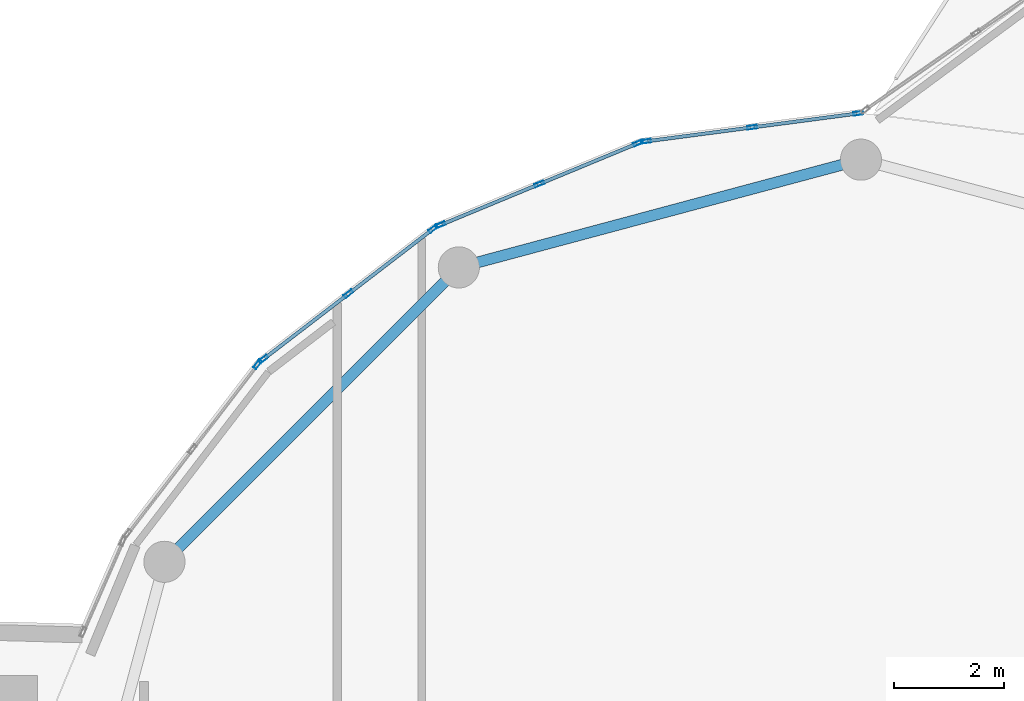
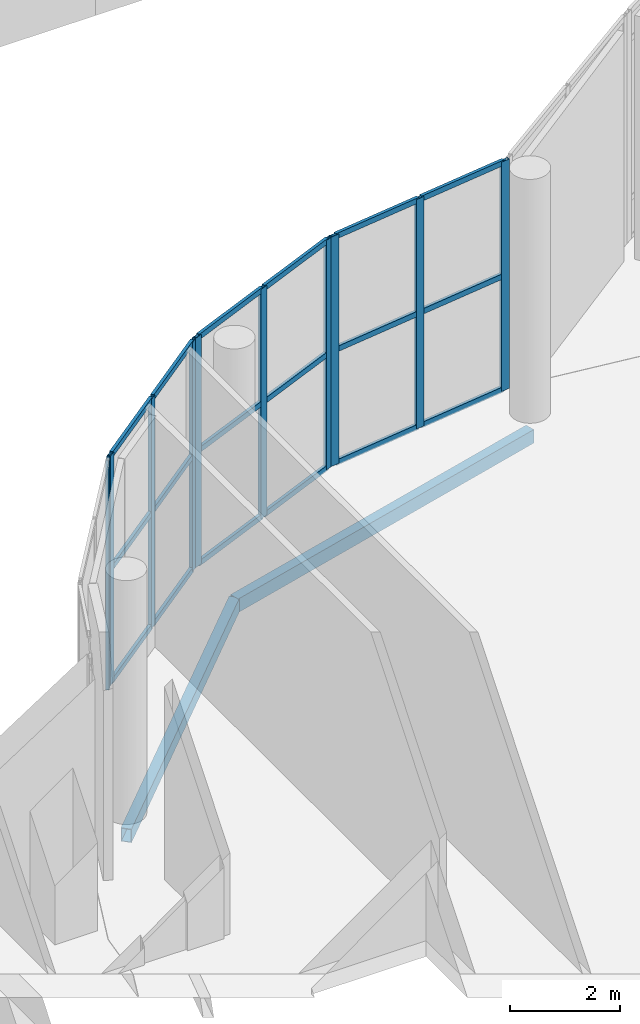
# One storey, part 58 of 158: 28 members, 2 beams, 4 elements without a shape of their own.
"""IFC4 building model written with IfcOpenShell, lengths in metres."""

from ifc_helpers import new_model, si_unit, direction, frame, origin, origin_2d, place, context, subcontext, project, spatial, hollow_rectangle, extrude, material, material_profile, profile_set, type_object, element, aggregate, save


model = new_model("IFC4")

# Units and contexts
model_context = context("Model", 3, precision=1e-05, world=origin(), true_north=direction((0.0, 1.0)))
body_context = subcontext(model_context, "Body", "Model", "MODEL_VIEW")
ifc_project = project(units=[si_unit("LENGTHUNIT", "METRE"), si_unit("AREAUNIT", "SQUARE_METRE"), si_unit("VOLUMEUNIT", "CUBIC_METRE"), si_unit("PLANEANGLEUNIT", "RADIAN"), si_unit("MASSUNIT", "GRAM", prefix="KILO")], contexts=[model_context])

# Site, building, storey
site_placement = place(None, origin())
site = spatial("IfcSite", under=ifc_project, at=site_placement, CompositionType="ELEMENT")
building_placement = place(site_placement, origin())
building = spatial("IfcBuilding", under=site, at=building_placement, Name="Selatvlak General Hospital", CompositionType="ELEMENT")
storey_placement = place(building_placement, origin())
storey = spatial("IfcBuildingStorey", under=building, at=storey_placement, Name="L00", CompositionType="ELEMENT", Elevation=0.0)

# Beams
ifc_material_1 = material(Name="Steel S355", Category="steel")
ifc_material_profile_1 = material_profile(ifc_material_1, hollow_rectangle(XDim=0.199951171875, YDim=0.300048828125, WallThickness=0.011962890625, at=origin_2d()), Name="RHS 300x200x12")
ifc_profile_set_1 = profile_set([ifc_material_profile_1], Name="Steel S355")
beam_type = type_object("IfcBeamType", Name="BM-SP3", PredefinedType="SPANDREL", material=ifc_profile_set_1)
beam_1_placement = place(storey_placement, frame((98.0, 68.64990234375, -0.5), z_axis=(-0.965920028052, -0.25884068345, 0.0), x_axis=(0.25884068345, -0.965920028052, 0.0)))
element("IfcBeam", 1, at=beam_1_placement, inside=storey, type_object=beam_type, Name="Beam BMR-L00-0332", PredefinedType="SPANDREL", context=body_context, shape_type="SweptSolid", body=[
    extrude(hollow_rectangle(XDim=0.199951171875, YDim=0.300048828125, WallThickness=0.011962890625, at=origin_2d()), origin(), (0.0, 0.0, 1.0), 7.58349609375),
])
beam_2_placement = place(storey_placement, frame((90.675048828125, 66.68701171875, -0.5), z_axis=(-0.707106781187, -0.707106781187, 0.0), x_axis=(0.707106781187, -0.707106781187, 0.0)))
element("IfcBeam", 2, at=beam_2_placement, inside=storey, type_object=beam_type, Name="Beam BMR-L00-0333", PredefinedType="SPANDREL", context=body_context, shape_type="SweptSolid", body=[
    extrude(hollow_rectangle(XDim=0.199951171875, YDim=0.300048828125, WallThickness=0.011962890625, at=origin_2d()), origin(), (0.0, 0.0, 1.0), 7.5830078125),
])

# Curtain wall, member
ifc_material_2 = material(Name="Solar-control Low-E double glazing", Category="glass")
curtain_wall_type_1 = type_object("IfcCurtainWallType", Name="CW-CW-04", PredefinedType="USERDEFINED", material=ifc_material_2)
curtain_wall_1_placement = place(storey_placement, origin())
curtain_wall_1 = element("IfcCurtainWall", 3, at=curtain_wall_1_placement, inside=storey, type_object=curtain_wall_type_1, Name="Glazed facade curtain wall CW-L00-0095", ObjectType="STICK GLAZING WALL", PredefinedType="USERDEFINED")
ifc_material_3 = material(Name="Dark anodised aluminium mullion", Category="aluminium")
ifc_material_profile_2 = material_profile(ifc_material_3, hollow_rectangle(XDim=0.06494140625, YDim=0.179931640625, WallThickness=0.00439453125, at=origin_2d()), Name="AL-MUL 65x180x4.5")
ifc_profile_set_2 = profile_set([ifc_material_profile_2], Name="Dark anodised aluminium mullion")
member_type_1 = type_object("IfcMemberType", Name="CWM-02", PredefinedType="MULLION", material=ifc_profile_set_2)
member_1_placement = place(storey_placement, frame((87.01025390625, 64.921142578125, 0.0), z_axis=(0.0, 0.0, 1.0), x_axis=(-0.793232853917, 0.608918417743, 0.0)))
member_1 = element("IfcMember", 4, at=member_1_placement, type_object=member_type_1, Name="CW-04 mullion 3", PredefinedType="MULLION", context=body_context, shape_type="SweptSolid", body=[
    extrude(hollow_rectangle(XDim=0.06494140625, YDim=0.179931640625, WallThickness=0.00439453125, at=origin_2d()), origin(), (0.0, 0.0, 1.0), 5.080078125),
])
aggregate(curtain_wall_1, [member_1])

# Curtain wall, members
curtain_wall_type_2 = type_object("IfcCurtainWallType", Name="CW-CW-05", PredefinedType="USERDEFINED", material=ifc_material_2)
curtain_wall_2_placement = place(storey_placement, origin())
curtain_wall_2 = element("IfcCurtainWall", 5, at=curtain_wall_2_placement, inside=storey, type_object=curtain_wall_type_2, Name="Glazed facade curtain wall CW-L00-0096", ObjectType="STICK GLAZING WALL", PredefinedType="USERDEFINED")
member_2_placement = place(storey_placement, frame((87.11669921875, 65.017822265625, 0.0), z_axis=(0.0, 0.0, 1.0), x_axis=(-0.608918417743, 0.793232853917, 0.0)))
member_2 = element("IfcMember", 6, at=member_2_placement, type_object=member_type_1, Name="CW-05 mullion 1", PredefinedType="MULLION", context=body_context, shape_type="SweptSolid", body=[
    extrude(hollow_rectangle(XDim=0.06494140625, YDim=0.179931640625, WallThickness=0.00439453125, at=origin_2d()), origin(), (0.0, 0.0, 1.0), 5.080078125),
])
member_3_placement = place(storey_placement, frame((88.6640625, 66.20556640625, 0.0), z_axis=(0.0, 0.0, 1.0), x_axis=(-0.608918417743, 0.793232853917, 0.0)))
member_3 = element("IfcMember", 7, at=member_3_placement, type_object=member_type_1, Name="CW-05 mullion 2", PredefinedType="MULLION", context=body_context, shape_type="SweptSolid", body=[
    extrude(hollow_rectangle(XDim=0.06494140625, YDim=0.179931640625, WallThickness=0.00439453125, at=origin_2d()), origin(), (0.0, 0.0, 1.0), 5.080078125),
])
member_4_placement = place(storey_placement, frame((90.211181640625, 67.393310546875, 0.0), z_axis=(0.0, 0.0, 1.0), x_axis=(-0.608918417743, 0.793232853917, 0.0)))
member_4 = element("IfcMember", 8, at=member_4_placement, type_object=member_type_1, Name="CW-05 mullion 3", PredefinedType="MULLION", context=body_context, shape_type="SweptSolid", body=[
    extrude(hollow_rectangle(XDim=0.06494140625, YDim=0.179931640625, WallThickness=0.00439453125, at=origin_2d()), origin(), (0.0, 0.0, 1.0), 5.080078125),
])

curtain_wall_3_placement = place(storey_placement, origin())
curtain_wall_3 = element("IfcCurtainWall", 9, at=curtain_wall_3_placement, inside=storey, type_object=curtain_wall_type_1, Name="Glazed facade curtain wall CW-L00-0097", ObjectType="STICK GLAZING WALL", PredefinedType="USERDEFINED")
member_5_placement = place(storey_placement, frame((90.339111328125, 67.45947265625, 0.0), z_axis=(0.0, 0.0, 1.0), x_axis=(-0.382752625243, 0.923850868847, 0.0)))
member_5 = element("IfcMember", 10, at=member_5_placement, type_object=member_type_1, Name="CW-04 mullion 1", PredefinedType="MULLION", context=body_context, shape_type="SweptSolid", body=[
    extrude(hollow_rectangle(XDim=0.06494140625, YDim=0.179931640625, WallThickness=0.00439453125, at=origin_2d()), origin(), (0.0, 0.0, 1.0), 5.080078125),
])
member_6_placement = place(storey_placement, frame((92.14111328125, 68.2060546875, 0.0), z_axis=(0.0, 0.0, 1.0), x_axis=(-0.382752625243, 0.923850868847, 0.0)))
member_6 = element("IfcMember", 11, at=member_6_placement, type_object=member_type_1, Name="CW-04 mullion 2", PredefinedType="MULLION", context=body_context, shape_type="SweptSolid", body=[
    extrude(hollow_rectangle(XDim=0.06494140625, YDim=0.179931640625, WallThickness=0.00439453125, at=origin_2d()), origin(), (0.0, 0.0, 1.0), 5.080078125),
])
member_7_placement = place(storey_placement, frame((93.94287109375, 68.95263671875, 0.0), z_axis=(0.0, 0.0, 1.0), x_axis=(-0.382752625243, 0.923850868847, 0.0)))
member_7 = element("IfcMember", 12, at=member_7_placement, type_object=member_type_1, Name="CW-04 mullion 3", PredefinedType="MULLION", context=body_context, shape_type="SweptSolid", body=[
    extrude(hollow_rectangle(XDim=0.06494140625, YDim=0.179931640625, WallThickness=0.00439453125, at=origin_2d()), origin(), (0.0, 0.0, 1.0), 5.080078125),
])

curtain_wall_4_placement = place(storey_placement, origin())
curtain_wall_4 = element("IfcCurtainWall", 13, at=curtain_wall_4_placement, inside=storey, type_object=curtain_wall_type_2, Name="Glazed facade curtain wall CW-L00-0098", ObjectType="STICK GLAZING WALL", PredefinedType="USERDEFINED")
member_8_placement = place(storey_placement, frame((94.084228515625, 68.984130859375, 0.0), z_axis=(0.0, 0.0, 1.0), x_axis=(-0.130611050186, 0.991433685916, 0.0)))
member_8 = element("IfcMember", 14, at=member_8_placement, type_object=member_type_1, Name="CW-05 mullion 1", PredefinedType="MULLION", context=body_context, shape_type="SweptSolid", body=[
    extrude(hollow_rectangle(XDim=0.06494140625, YDim=0.179931640625, WallThickness=0.00439453125, at=origin_2d()), origin(), (0.0, 0.0, 1.0), 5.080078125),
])
member_9_placement = place(storey_placement, frame((96.01806640625, 69.239013671875, 0.0), z_axis=(0.0, 0.0, 1.0), x_axis=(-0.130611050186, 0.991433685916, 0.0)))
member_9 = element("IfcMember", 15, at=member_9_placement, type_object=member_type_1, Name="CW-05 mullion 2", PredefinedType="MULLION", context=body_context, shape_type="SweptSolid", body=[
    extrude(hollow_rectangle(XDim=0.06494140625, YDim=0.179931640625, WallThickness=0.00439453125, at=origin_2d()), origin(), (0.0, 0.0, 1.0), 5.080078125),
])
member_10_placement = place(storey_placement, frame((97.95166015625, 69.49365234375, 0.0), z_axis=(0.0, 0.0, 1.0), x_axis=(-0.130611050186, 0.991433685916, 0.0)))
member_10 = element("IfcMember", 16, at=member_10_placement, type_object=member_type_1, Name="CW-05 mullion 3", PredefinedType="MULLION", context=body_context, shape_type="SweptSolid", body=[
    extrude(hollow_rectangle(XDim=0.06494140625, YDim=0.179931640625, WallThickness=0.00439453125, at=origin_2d()), origin(), (0.0, 0.0, 1.0), 5.080078125),
])

# Member
ifc_material_profile_3 = material_profile(ifc_material_3, hollow_rectangle(XDim=0.06494140625, YDim=0.1201171875, WallThickness=0.00390625, at=origin_2d()), Name="AL-TRN 65x120x4")
ifc_profile_set_3 = profile_set([ifc_material_profile_3], Name="Dark anodised aluminium mullion")
member_type_2 = type_object("IfcMemberType", Name="CWT-01", PredefinedType="USERDEFINED", material=ifc_profile_set_3)
member_11_placement = place(storey_placement, frame((87.142578125, 65.03759765625, 0.032470703125), z_axis=(0.793206055297, 0.608953326487, 0.0), x_axis=(-0.608953326487, 0.793206055297, 0.0)))
member_11 = element("IfcMember", 17, at=member_11_placement, type_object=member_type_2, Name="CW-05 transom 1.1", ObjectType="TRANSOM", PredefinedType="USERDEFINED", context=body_context, shape_type="SweptSolid", body=[
    extrude(hollow_rectangle(XDim=0.06494140625, YDim=0.1201171875, WallThickness=0.00390625, at=origin_2d()), origin(), (0.0, 0.0, 1.0), 1.885498046875),
])

member_12_placement = place(storey_placement, frame((87.142578125, 65.03759765625, 2.5400390625), z_axis=(0.793206055297, 0.608953326487, 0.0), x_axis=(-0.608953326487, 0.793206055297, 0.0)))
member_12 = element("IfcMember", 18, at=member_12_placement, type_object=member_type_2, Name="CW-05 transom 1.2", ObjectType="TRANSOM", PredefinedType="USERDEFINED", context=body_context, shape_type="SweptSolid", body=[
    extrude(hollow_rectangle(XDim=0.06494140625, YDim=0.1201171875, WallThickness=0.00390625, at=origin_2d()), origin(), (0.0, 0.0, 1.0), 1.885498046875),
])

member_13_placement = place(storey_placement, frame((87.142578125, 65.03759765625, 5.047607421875), z_axis=(0.793206055297, 0.608953326487, 0.0), x_axis=(-0.608953326487, 0.793206055297, 0.0)))
member_13 = element("IfcMember", 19, at=member_13_placement, type_object=member_type_2, Name="CW-05 transom 1.3", ObjectType="TRANSOM", PredefinedType="USERDEFINED", context=body_context, shape_type="SweptSolid", body=[
    extrude(hollow_rectangle(XDim=0.06494140625, YDim=0.1201171875, WallThickness=0.00390625, at=origin_2d()), origin(), (0.0, 0.0, 1.0), 1.885498046875),
])

member_14_placement = place(storey_placement, frame((88.689697265625, 66.225341796875, 0.032470703125), z_axis=(0.793254062913, 0.608890787968, 0.0), x_axis=(-0.608890787968, 0.793254062913, 0.0)))
member_14 = element("IfcMember", 20, at=member_14_placement, type_object=member_type_2, Name="CW-05 transom 2.1", ObjectType="TRANSOM", PredefinedType="USERDEFINED", context=body_context, shape_type="SweptSolid", body=[
    extrude(hollow_rectangle(XDim=0.06494140625, YDim=0.1201171875, WallThickness=0.00390625, at=origin_2d()), origin(), (0.0, 0.0, 1.0), 1.8857421875),
])

member_15_placement = place(storey_placement, frame((88.689697265625, 66.225341796875, 2.5400390625), z_axis=(0.793254062913, 0.608890787968, 0.0), x_axis=(-0.608890787968, 0.793254062913, 0.0)))
member_15 = element("IfcMember", 21, at=member_15_placement, type_object=member_type_2, Name="CW-05 transom 2.2", ObjectType="TRANSOM", PredefinedType="USERDEFINED", context=body_context, shape_type="SweptSolid", body=[
    extrude(hollow_rectangle(XDim=0.06494140625, YDim=0.1201171875, WallThickness=0.00390625, at=origin_2d()), origin(), (0.0, 0.0, 1.0), 1.8857421875),
])

member_16_placement = place(storey_placement, frame((88.689697265625, 66.225341796875, 5.047607421875), z_axis=(0.793254062913, 0.608890787968, 0.0), x_axis=(-0.608890787968, 0.793254062913, 0.0)))
member_16 = element("IfcMember", 22, at=member_16_placement, type_object=member_type_2, Name="CW-05 transom 2.3", ObjectType="TRANSOM", PredefinedType="USERDEFINED", context=body_context, shape_type="SweptSolid", body=[
    extrude(hollow_rectangle(XDim=0.06494140625, YDim=0.1201171875, WallThickness=0.00390625, at=origin_2d()), origin(), (0.0, 0.0, 1.0), 1.8857421875),
])

aggregate(curtain_wall_2, [member_2, member_3, member_4, member_11, member_12, member_13, member_14, member_15, member_16])

member_17_placement = place(storey_placement, frame((90.369140625, 67.471923828125, 0.032470703125), z_axis=(0.92385269326, 0.382748221623, 0.0), x_axis=(-0.382748221623, 0.92385269326, 0.0)))
member_17 = element("IfcMember", 23, at=member_17_placement, type_object=member_type_2, Name="CW-04 transom 1.1", ObjectType="TRANSOM", PredefinedType="USERDEFINED", context=body_context, shape_type="SweptSolid", body=[
    extrude(hollow_rectangle(XDim=0.06494140625, YDim=0.1201171875, WallThickness=0.00390625, at=origin_2d()), origin(), (0.0, 0.0, 1.0), 1.885498046875),
])

member_18_placement = place(storey_placement, frame((90.369140625, 67.471923828125, 2.5400390625), z_axis=(0.92385269326, 0.382748221623, 0.0), x_axis=(-0.382748221623, 0.92385269326, 0.0)))
member_18 = element("IfcMember", 24, at=member_18_placement, type_object=member_type_2, Name="CW-04 transom 1.2", ObjectType="TRANSOM", PredefinedType="USERDEFINED", context=body_context, shape_type="SweptSolid", body=[
    extrude(hollow_rectangle(XDim=0.06494140625, YDim=0.1201171875, WallThickness=0.00390625, at=origin_2d()), origin(), (0.0, 0.0, 1.0), 1.885498046875),
])

member_19_placement = place(storey_placement, frame((90.369140625, 67.471923828125, 5.047607421875), z_axis=(0.92385269326, 0.382748221623, 0.0), x_axis=(-0.382748221623, 0.92385269326, 0.0)))
member_19 = element("IfcMember", 25, at=member_19_placement, type_object=member_type_2, Name="CW-04 transom 1.3", ObjectType="TRANSOM", PredefinedType="USERDEFINED", context=body_context, shape_type="SweptSolid", body=[
    extrude(hollow_rectangle(XDim=0.06494140625, YDim=0.1201171875, WallThickness=0.00390625, at=origin_2d()), origin(), (0.0, 0.0, 1.0), 1.885498046875),
])

member_20_placement = place(storey_placement, frame((92.171142578125, 68.218505859375, 0.032470703125), z_axis=(0.923833721264, 0.382794011782, 0.0), x_axis=(-0.382794011782, 0.923833721264, 0.0)))
member_20 = element("IfcMember", 26, at=member_20_placement, type_object=member_type_2, Name="CW-04 transom 2.1", ObjectType="TRANSOM", PredefinedType="USERDEFINED", context=body_context, shape_type="SweptSolid", body=[
    extrude(hollow_rectangle(XDim=0.06494140625, YDim=0.1201171875, WallThickness=0.00390625, at=origin_2d()), origin(), (0.0, 0.0, 1.0), 1.88525390625),
])

member_21_placement = place(storey_placement, frame((92.171142578125, 68.218505859375, 2.5400390625), z_axis=(0.923833721264, 0.382794011782, 0.0), x_axis=(-0.382794011782, 0.923833721264, 0.0)))
member_21 = element("IfcMember", 27, at=member_21_placement, type_object=member_type_2, Name="CW-04 transom 2.2", ObjectType="TRANSOM", PredefinedType="USERDEFINED", context=body_context, shape_type="SweptSolid", body=[
    extrude(hollow_rectangle(XDim=0.06494140625, YDim=0.1201171875, WallThickness=0.00390625, at=origin_2d()), origin(), (0.0, 0.0, 1.0), 1.88525390625),
])

member_22_placement = place(storey_placement, frame((92.171142578125, 68.218505859375, 5.047607421875), z_axis=(0.923833721264, 0.382794011782, 0.0), x_axis=(-0.382794011782, 0.923833721264, 0.0)))
member_22 = element("IfcMember", 28, at=member_22_placement, type_object=member_type_2, Name="CW-04 transom 2.3", ObjectType="TRANSOM", PredefinedType="USERDEFINED", context=body_context, shape_type="SweptSolid", body=[
    extrude(hollow_rectangle(XDim=0.06494140625, YDim=0.1201171875, WallThickness=0.00390625, at=origin_2d()), origin(), (0.0, 0.0, 1.0), 1.88525390625),
])

aggregate(curtain_wall_3, [member_5, member_6, member_7, member_17, member_18, member_19, member_20, member_21, member_22])

member_23_placement = place(storey_placement, frame((94.116455078125, 68.988525390625, 0.032470703125), z_axis=(0.991429156787, 0.130645424996, 0.0), x_axis=(-0.130645424996, 0.991429156787, 0.0)))
member_23 = element("IfcMember", 29, at=member_23_placement, type_object=member_type_2, Name="CW-05 transom 1.1", ObjectType="TRANSOM", PredefinedType="USERDEFINED", context=body_context, shape_type="SweptSolid", body=[
    extrude(hollow_rectangle(XDim=0.06494140625, YDim=0.1201171875, WallThickness=0.00390625, at=origin_2d()), origin(), (0.0, 0.0, 1.0), 1.885498046875),
])

member_24_placement = place(storey_placement, frame((94.116455078125, 68.988525390625, 2.5400390625), z_axis=(0.991429156787, 0.130645424996, 0.0), x_axis=(-0.130645424996, 0.991429156787, 0.0)))
member_24 = element("IfcMember", 30, at=member_24_placement, type_object=member_type_2, Name="CW-05 transom 1.2", ObjectType="TRANSOM", PredefinedType="USERDEFINED", context=body_context, shape_type="SweptSolid", body=[
    extrude(hollow_rectangle(XDim=0.06494140625, YDim=0.1201171875, WallThickness=0.00390625, at=origin_2d()), origin(), (0.0, 0.0, 1.0), 1.885498046875),
])

member_25_placement = place(storey_placement, frame((94.116455078125, 68.988525390625, 5.047607421875), z_axis=(0.991429156787, 0.130645424996, 0.0), x_axis=(-0.130645424996, 0.991429156787, 0.0)))
member_25 = element("IfcMember", 31, at=member_25_placement, type_object=member_type_2, Name="CW-05 transom 1.3", ObjectType="TRANSOM", PredefinedType="USERDEFINED", context=body_context, shape_type="SweptSolid", body=[
    extrude(hollow_rectangle(XDim=0.06494140625, YDim=0.1201171875, WallThickness=0.00390625, at=origin_2d()), origin(), (0.0, 0.0, 1.0), 1.885498046875),
])

member_26_placement = place(storey_placement, frame((96.05029296875, 69.2431640625, 0.032470703125), z_axis=(0.991429156787, 0.130645424996, 0.0), x_axis=(-0.130645424996, 0.991429156787, 0.0)))
member_26 = element("IfcMember", 32, at=member_26_placement, type_object=member_type_2, Name="CW-05 transom 2.1", ObjectType="TRANSOM", PredefinedType="USERDEFINED", context=body_context, shape_type="SweptSolid", body=[
    extrude(hollow_rectangle(XDim=0.06494140625, YDim=0.1201171875, WallThickness=0.00390625, at=origin_2d()), origin(), (0.0, 0.0, 1.0), 1.885498046875),
])

member_27_placement = place(storey_placement, frame((96.05029296875, 69.2431640625, 2.5400390625), z_axis=(0.991429156787, 0.130645424996, 0.0), x_axis=(-0.130645424996, 0.991429156787, 0.0)))
member_27 = element("IfcMember", 33, at=member_27_placement, type_object=member_type_2, Name="CW-05 transom 2.2", ObjectType="TRANSOM", PredefinedType="USERDEFINED", context=body_context, shape_type="SweptSolid", body=[
    extrude(hollow_rectangle(XDim=0.06494140625, YDim=0.1201171875, WallThickness=0.00390625, at=origin_2d()), origin(), (0.0, 0.0, 1.0), 1.885498046875),
])

member_28_placement = place(storey_placement, frame((96.05029296875, 69.2431640625, 5.047607421875), z_axis=(0.991429156787, 0.130645424996, 0.0), x_axis=(-0.130645424996, 0.991429156787, 0.0)))
member_28 = element("IfcMember", 34, at=member_28_placement, type_object=member_type_2, Name="CW-05 transom 2.3", ObjectType="TRANSOM", PredefinedType="USERDEFINED", context=body_context, shape_type="SweptSolid", body=[
    extrude(hollow_rectangle(XDim=0.06494140625, YDim=0.1201171875, WallThickness=0.00390625, at=origin_2d()), origin(), (0.0, 0.0, 1.0), 1.885498046875),
])

aggregate(curtain_wall_4, [member_8, member_9, member_10, member_23, member_24, member_25, member_26, member_27, member_28])

save(model, "model.ifc")
